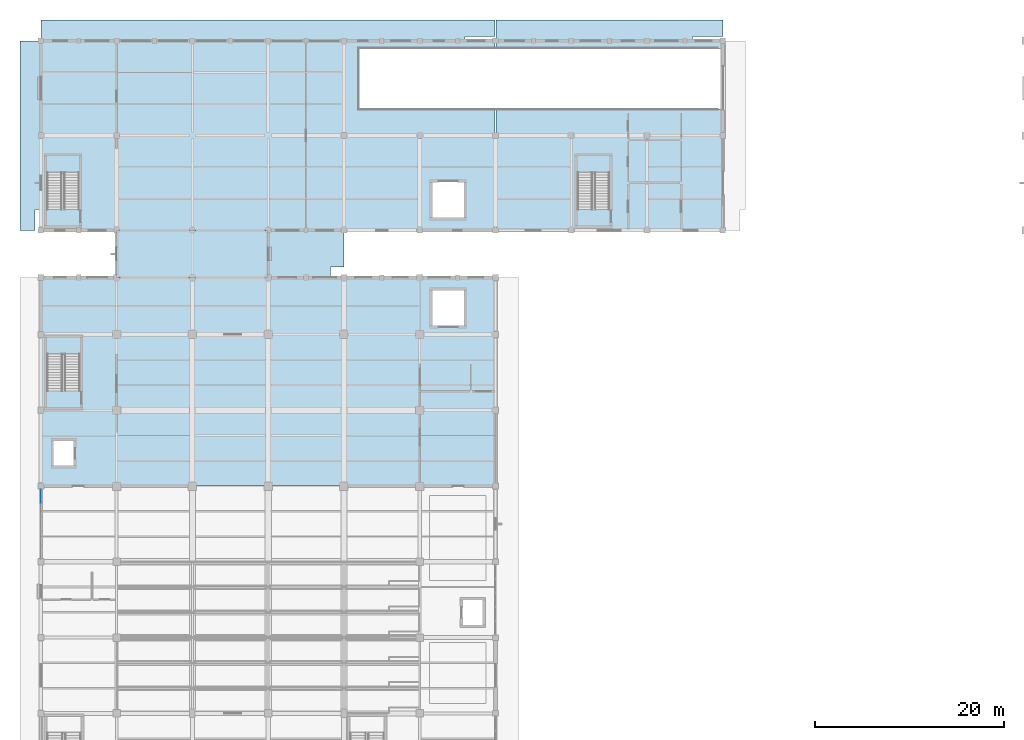
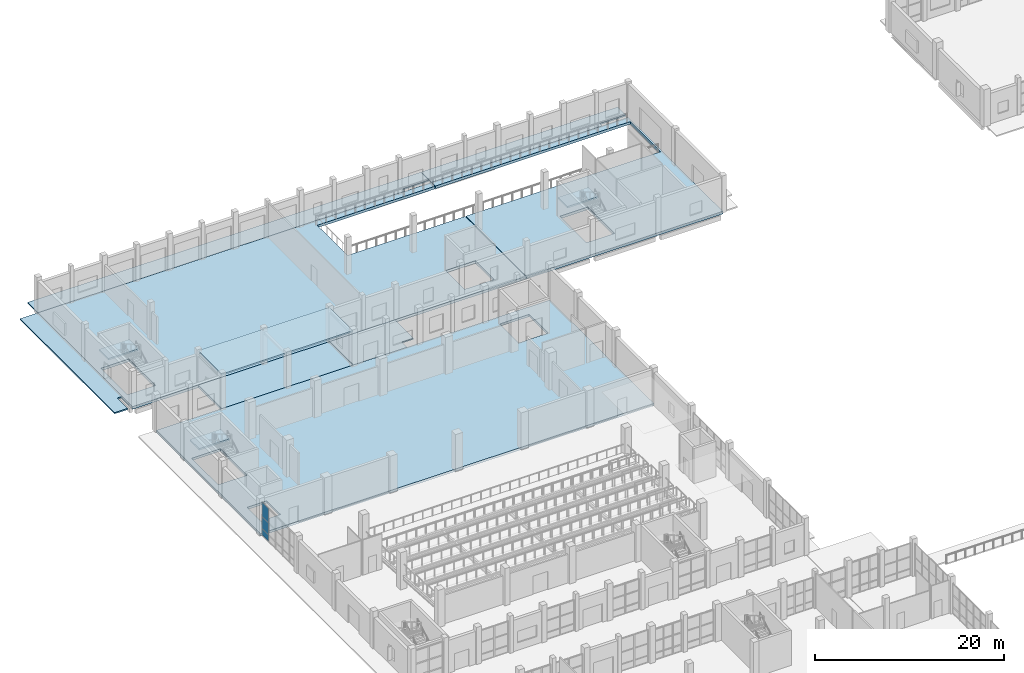
# One storey, part 112 of 156: 12 slabs, 3 plates, 4 elements without a shape of their own.
"""IFC4 building model written with IfcOpenShell, lengths in metres."""

from ifc_helpers import new_model, si_unit, direction, frame, origin, origin_2d, place, context, subcontext, project, spatial, polyline, rectangle, outline, extrude, material, layer, layer_set, type_object, element, aggregate, save


model = new_model("IFC4")

# Units and contexts
model_context = context("Model", 3, precision=1e-05, world=origin(), true_north=direction((0.0, 1.0)))
body_context = subcontext(model_context, "Body", "Model", "MODEL_VIEW")
ifc_project = project(units=[si_unit("LENGTHUNIT", "METRE"), si_unit("AREAUNIT", "SQUARE_METRE"), si_unit("VOLUMEUNIT", "CUBIC_METRE"), si_unit("PLANEANGLEUNIT", "RADIAN"), si_unit("MASSUNIT", "GRAM", prefix="KILO")], contexts=[model_context])

# Site, building, storey
site_placement = place(None, origin())
site = spatial("IfcSite", under=ifc_project, at=site_placement, CompositionType="ELEMENT")
building_placement = place(site_placement, origin())
building = spatial("IfcBuilding", under=site, at=building_placement, Name="Luwemba Playhouse", CompositionType="ELEMENT")
storey_placement = place(building_placement, origin())
storey = spatial("IfcBuildingStorey", under=building, at=storey_placement, Name="L00", CompositionType="ELEMENT", Elevation=0.0)

# Curtain wall, plates
ifc_material_1 = material(Name="Solar-control double glazing", Category="glass")
curtain_wall_type = type_object("IfcCurtainWallType", Name="CW-CW05", PredefinedType="USERDEFINED", material=ifc_material_1)
curtain_wall_placement = place(storey_placement, origin())
curtain_wall = element("IfcCurtainWall", 1, at=curtain_wall_placement, inside=storey, type_object=curtain_wall_type, Name="L00 V1 unitised curtain wall 005", ObjectType="UNITISED GLAZING", PredefinedType="USERDEFINED")
ifc_layer_1 = layer(ifc_material_1, 0.031982421875)
ifc_layer_set_1 = layer_set([ifc_layer_1], Name="Solar-control double glazing")
plate_type = type_object("IfcPlateType", Name="CWP-P3", PredefinedType="CURTAIN_PANEL", material=ifc_layer_set_1)
plate_1_placement = place(storey_placement, frame((4.0, 66.92626953125, 0.06494140625), z_axis=(0.0, 0.0, 1.0), x_axis=(0.0, 1.0, 0.0)))
plate_1 = element("IfcPlate", 2, at=plate_1_placement, type_object=plate_type, Name="CW05 panel 5.1", PredefinedType="CURTAIN_PANEL", context=body_context, shape_type="SweptSolid", body=[
    extrude(rectangle(XDim=1.387451171875, YDim=0.031982421875, at=origin_2d()), origin(), (0.0, 0.0, 1.0), 0.802490234375),
])
plate_2_placement = place(storey_placement, frame((4.0, 66.92626953125, 0.9326171875), z_axis=(0.0, 0.0, 1.0), x_axis=(0.0, 1.0, 0.0)))
plate_2 = element("IfcPlate", 3, at=plate_2_placement, type_object=plate_type, Name="CW05 panel 5.2", PredefinedType="CURTAIN_PANEL", context=body_context, shape_type="SweptSolid", body=[
    extrude(rectangle(XDim=1.387451171875, YDim=0.031982421875, at=origin_2d()), origin(), (0.0, 0.0, 1.0), 1.485107421875),
])
plate_3_placement = place(storey_placement, frame((4.0, 66.92626953125, 2.482421875), z_axis=(0.0, 0.0, 1.0), x_axis=(0.0, 1.0, 0.0)))
plate_3 = element("IfcPlate", 4, at=plate_3_placement, type_object=plate_type, Name="CW05 panel 5.3", PredefinedType="CURTAIN_PANEL", context=body_context, shape_type="SweptSolid", body=[
    extrude(rectangle(XDim=1.387451171875, YDim=0.031982421875, at=origin_2d()), origin(), (0.0, 0.0, 1.0), 1.78759765625),
])
aggregate(curtain_wall, [plate_1, plate_2, plate_3])

# Slabs
ifc_material_2 = material(Name="Concrete C40/50", Category="concrete")
ifc_layer_2 = layer(ifc_material_2, 0.340087890625)
ifc_layer_set_2 = layer_set([ifc_layer_2], Name="Concrete C40/50")
slab_type_1 = type_object("IfcSlabType", Name="SLB-DOCK-340", PredefinedType="FLOOR", material=ifc_layer_set_2)
slab_1_placement = place(storey_placement, frame((0.0, 0.0, -0.340087890625)))
element("IfcSlab", 5, at=slab_1_placement, inside=storey, type_object=slab_type_1, Name="L00 V6W structural floor slab", PredefinedType="FLOOR", context=body_context, shape_type="SweptSolid", body=[
    extrude(outline(polyline([(51.969970703125, 115.0), (51.969970703125, 114.199951171875), (37.60009765625, 114.199951171875), (37.60009765625, 107.800048828125), (51.969970703125, 107.800048828125), (51.969970703125, 95.0), (4.0, 95.0), (4.0, 115.0), (51.969970703125, 115.0)]), holes=[polyline([(45.199951171875, 96.199951171875), (48.800048828125, 96.199951171875), (48.800048828125, 100.199951171875), (45.199951171875, 100.199951171875), (45.199951171875, 96.199951171875)]), polyline([(8.050048828125, 97.199951171875), (8.050048828125, 102.820068359375), (4.64990234375, 102.820068359375), (4.64990234375, 97.199951171875), (8.050048828125, 97.199951171875)])]), origin(), (0.0, 0.0, 1.0), 0.340087890625),
])
slab_2_placement = place(storey_placement, frame((0.0, 0.0, -0.340087890625)))
element("IfcSlab", 6, at=slab_2_placement, inside=storey, type_object=slab_type_1, Name="L00 V6W structural floor slab-MJ", PredefinedType="FLOOR", context=body_context, shape_type="SweptSolid", body=[
    extrude(outline(polyline([(76.0, 115.0), (76.0, 95.0), (52.030029296875, 95.0), (52.030029296875, 107.800048828125), (75.800048828125, 107.800048828125), (75.800048828125, 114.199951171875), (52.030029296875, 114.199951171875), (52.030029296875, 115.0), (76.0, 115.0)]), holes=[polyline([(64.050048828125, 97.199951171875), (64.050048828125, 102.820068359375), (60.64990234375, 102.820068359375), (60.64990234375, 97.199951171875), (64.050048828125, 97.199951171875)])]), origin(), (0.0, 0.0, 1.0), 0.340087890625),
])
ifc_layer_3 = layer(ifc_material_2, 0.300048828125)
ifc_layer_set_3 = layer_set([ifc_layer_3], Name="Concrete C40/50")
slab_type_2 = type_object("IfcSlabType", Name="SLB-HVY-300", PredefinedType="FLOOR", material=ifc_layer_set_3)
slab_3_placement = place(storey_placement, frame((0.0, 0.0, -0.300048828125)))
element("IfcSlab", 7, at=slab_3_placement, inside=storey, type_object=slab_type_2, Name="L00 V2 structural floor slab", PredefinedType="FLOOR", context=body_context, shape_type="SweptSolid", body=[
    extrude(outline(polyline([(52.0, 90.0), (52.0, 68.0), (4.0, 68.0), (4.0, 90.0), (52.0, 90.0)]), holes=[polyline([(7.60009765625, 70.0), (7.60009765625, 72.89990234375), (5.199951171875, 72.89990234375), (5.199951171875, 70.0), (7.60009765625, 70.0)]), polyline([(8.14990234375, 78.0400390625), (8.14990234375, 83.659912109375), (4.64990234375, 83.659912109375), (4.64990234375, 78.0400390625), (8.14990234375, 78.0400390625)]), polyline([(45.199951171875, 84.800048828125), (48.800048828125, 84.800048828125), (48.800048828125, 88.800048828125), (45.199951171875, 88.800048828125), (45.199951171875, 84.800048828125)])]), origin(), (0.0, 0.0, 1.0), 0.300048828125),
])
slab_4_placement = place(storey_placement, frame((0.0, 0.0, -0.300048828125)))
element("IfcSlab", 8, at=slab_4_placement, inside=storey, type_object=slab_type_2, Name="L00 Scene Dock transfer link slab", PredefinedType="FLOOR", context=body_context, shape_type="SweptSolid", body=[
    extrude(outline(polyline([(12.0, 90.0), (28.0, 90.0), (28.0, 95.0), (12.0, 95.0), (12.0, 90.0)])), origin(), (0.0, 0.0, 1.0), 0.300048828125),
])

# Stair, slab
stair_type_1 = type_object("IfcStairType", Name="STR-DL-03", PredefinedType="HALF_TURN_STAIR", material=ifc_material_2)
stair_1_placement = place(storey_placement, origin())
stair_1 = element("IfcStair", 9, at=stair_1_placement, inside=storey, type_object=stair_type_1, Name="L00 Stage House West Escape Stair", PredefinedType="HALF_TURN_STAIR")
ifc_layer_4 = layer(ifc_material_2, 0.215087890625)
ifc_layer_set_4 = layer_set([ifc_layer_4], Name="Concrete C40/50")
slab_type_3 = type_object("IfcSlabType", Name="SLB-LND-215", PredefinedType="LANDING", material=ifc_layer_set_4)
slab_5_placement = place(storey_placement, frame((0.0, 0.0, 2.199951171875)))
slab_5 = element("IfcSlab", 10, at=slab_5_placement, type_object=slab_type_3, Name="ST-03 landing 1", PredefinedType="LANDING", context=body_context, shape_type="SweptSolid", body=[
    extrude(outline(polyline([(8.2900390625, 81.820068359375), (4.510009765625, 81.820068359375), (4.510009765625, 83.800048828125), (8.2900390625, 83.800048828125), (8.2900390625, 81.820068359375)])), origin(), (0.0, 0.0, 1.0), 0.199951171875),
])
aggregate(stair_1, [slab_5])

stair_type_2 = type_object("IfcStairType", Name="STR-DL-05", PredefinedType="HALF_TURN_STAIR", material=ifc_material_2)
stair_2_placement = place(storey_placement, origin())
stair_2 = element("IfcStair", 11, at=stair_2_placement, inside=storey, type_object=stair_type_2, Name="L00 Scene Dock West Escape Stair", PredefinedType="HALF_TURN_STAIR")
slab_6_placement = place(storey_placement, frame((0.0, 0.0, 2.199951171875)))
slab_6 = element("IfcSlab", 12, at=slab_6_placement, type_object=slab_type_3, Name="ST-08 landing 1", PredefinedType="LANDING", context=body_context, shape_type="SweptSolid", body=[
    extrude(outline(polyline([(8.18994140625, 100.97998046875), (4.510009765625, 100.97998046875), (4.510009765625, 102.9599609375), (8.18994140625, 102.9599609375), (8.18994140625, 100.97998046875)])), origin(), (0.0, 0.0, 1.0), 0.199951171875),
])
aggregate(stair_2, [slab_6])

stair_3_placement = place(storey_placement, origin())
stair_3 = element("IfcStair", 13, at=stair_3_placement, inside=storey, type_object=stair_type_2, Name="L00 Workshops East Escape Stair", PredefinedType="HALF_TURN_STAIR")
slab_7_placement = place(storey_placement, frame((0.0, 0.0, 2.199951171875)))
slab_7 = element("IfcSlab", 14, at=slab_7_placement, type_object=slab_type_3, Name="ST-15 landing 1", PredefinedType="LANDING", context=body_context, shape_type="SweptSolid", body=[
    extrude(outline(polyline([(64.18994140625, 100.97998046875), (60.510009765625, 100.97998046875), (60.510009765625, 102.9599609375), (64.18994140625, 102.9599609375), (64.18994140625, 100.97998046875)])), origin(), (0.0, 0.0, 1.0), 0.199951171875),
])
aggregate(stair_3, [slab_7])

# Slabs
ifc_material_3 = material(Name="Concrete C32/40", Category="concrete")
ifc_layer_5 = layer(ifc_material_3, 0.159912109375)
ifc_layer_set_5 = layer_set([ifc_layer_5], Name="Concrete C32/40")
slab_type_4 = type_object("IfcSlabType", Name="SLB-PAV-160", PredefinedType="USERDEFINED", material=ifc_layer_set_5)
slab_8_placement = place(storey_placement, frame((0.0, 0.0, -0.159912109375)))
element("IfcSlab", 15, at=slab_8_placement, inside=storey, type_object=slab_type_4, Name="L00 external civic plaza paving PAV-WEST-V6W", ObjectType="PAVING", PredefinedType="USERDEFINED", context=body_context, shape_type="SweptSolid", body=[
    extrude(outline(polyline([(1.800048828125, 95.0), (3.39990234375, 95.0), (3.39990234375, 97.199951171875), (4.0, 97.199951171875), (4.0, 115.0), (1.800048828125, 115.0), (1.800048828125, 95.0)])), origin(), (0.0, 0.0, 1.0), 0.159912109375),
])
slab_9_placement = place(storey_placement, frame((0.0, 0.0, -0.159912109375)))
element("IfcSlab", 16, at=slab_9_placement, inside=storey, type_object=slab_type_4, Name="L00 external civic plaza paving PAV-NV6W-W", ObjectType="PAVING", PredefinedType="USERDEFINED", context=body_context, shape_type="SweptSolid", body=[
    extrude(outline(polyline([(4.0, 115.0), (48.77001953125, 115.0), (48.77001953125, 115.47998046875), (51.969970703125, 115.47998046875), (51.969970703125, 117.199951171875), (4.0, 117.199951171875), (4.0, 115.0)])), origin(), (0.0, 0.0, 1.0), 0.159912109375),
])
slab_10_placement = place(storey_placement, frame((0.0, 0.0, -0.159912109375)))
element("IfcSlab", 17, at=slab_10_placement, inside=storey, type_object=slab_type_4, Name="L00 external civic plaza paving PAV-NV6W-E", ObjectType="PAVING", PredefinedType="USERDEFINED", context=body_context, shape_type="SweptSolid", body=[
    extrude(outline(polyline([(52.030029296875, 115.0), (72.800048828125, 115.0), (72.800048828125, 115.47998046875), (76.0, 115.47998046875), (76.0, 117.199951171875), (52.030029296875, 117.199951171875), (52.030029296875, 115.0)])), origin(), (0.0, 0.0, 1.0), 0.159912109375),
])
slab_11_placement = place(storey_placement, frame((0.0, 0.0, -0.159912109375)))
element("IfcSlab", 18, at=slab_11_placement, inside=storey, type_object=slab_type_4, Name="L00 external civic plaza paving PAV-NORTH-YARD-W", ObjectType="PAVING", PredefinedType="USERDEFINED", context=body_context, shape_type="SweptSolid", body=[
    extrude(outline(polyline([(28.050048828125, 90.0), (34.570068359375, 90.0), (34.570068359375, 91.10009765625), (36.0, 91.10009765625), (36.0, 95.0), (28.050048828125, 95.0), (28.050048828125, 90.0)])), origin(), (0.0, 0.0, 1.0), 0.159912109375),
])
ifc_layer_6 = layer(ifc_material_3, 0.199951171875)
ifc_layer_set_6 = layer_set([ifc_layer_6], Name="Concrete C32/40")
slab_type_5 = type_object("IfcSlabType", Name="SLB-ROOF-200", PredefinedType="ROOF", material=ifc_layer_set_6)
slab_12_placement = place(storey_placement, frame((0.0, 0.0, 4.25)))
element("IfcSlab", 19, at=slab_12_placement, inside=storey, type_object=slab_type_5, Name="L00 Scene Dock transfer link roof slab", PredefinedType="ROOF", context=body_context, shape_type="SweptSolid", body=[
    extrude(outline(polyline([(12.0, 90.0), (28.0, 90.0), (28.0, 95.0), (12.0, 95.0), (12.0, 90.0)])), origin(), (0.0, 0.0, 1.0), 0.199951171875),
])

save(model, "model.ifc")
